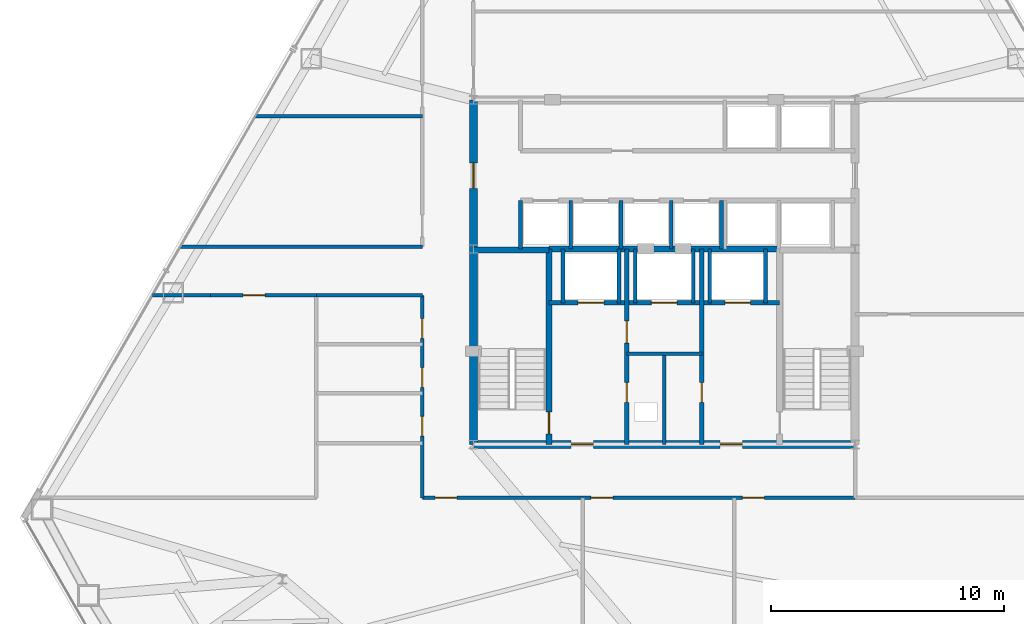
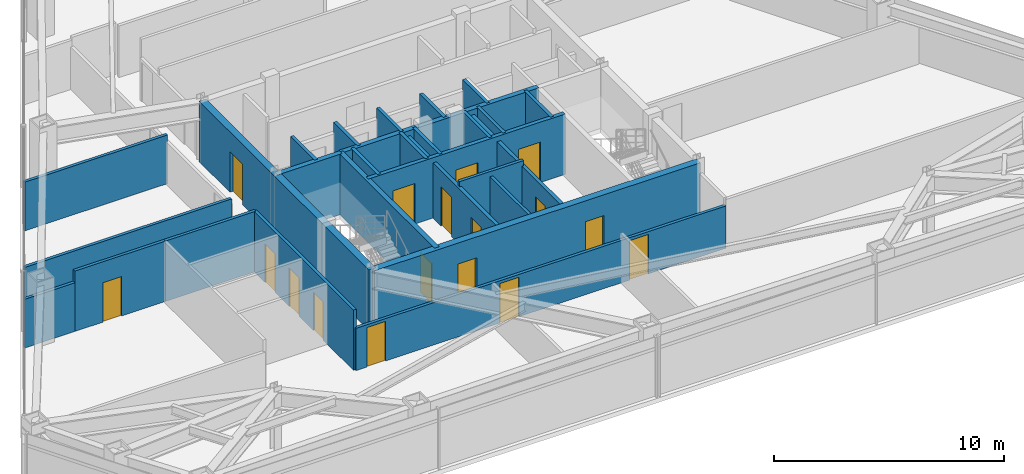
# One storey, part 10 of 13: 28 walls, 17 doors, 17 openings.
"""IFC4 building model written with IfcOpenShell, lengths in metres."""

from ifc_helpers import new_model, si_unit, direction, frame, frame_2d, origin, place, context, subcontext, project, spatial, rectangle, extrude, material, layer, layer_set, type_object, element, fill, save


model = new_model("IFC4")

# Units and contexts
model_context = context("Model", 3, precision=1e-05, world=origin(), true_north=direction((0.0, 1.0)))
body_context = subcontext(model_context, "Body", "Model", "MODEL_VIEW")
ifc_project = project(units=[si_unit("LENGTHUNIT", "METRE"), si_unit("AREAUNIT", "SQUARE_METRE"), si_unit("VOLUMEUNIT", "CUBIC_METRE"), si_unit("PLANEANGLEUNIT", "RADIAN"), si_unit("MASSUNIT", "GRAM", prefix="KILO")], contexts=[model_context])

# Site, building, storey
site_placement = place(None, origin())
site = spatial("IfcSite", under=ifc_project, at=site_placement, CompositionType="ELEMENT")
building_placement = place(site_placement, origin())
building = spatial("IfcBuilding", under=site, at=building_placement, Name="Varakhsha Concourse Tower", CompositionType="ELEMENT")
storey_placement = place(building_placement, frame((0.0, 0.0, 122.89990234375)))
storey = spatial("IfcBuildingStorey", under=building, at=storey_placement, Name="L35", CompositionType="ELEMENT", Elevation=122.89990234375)

# Wall, openings, doors
ifc_material_1 = material(Name="Concrete fc 65 MPa", Category="concrete")
ifc_layer_1 = layer(ifc_material_1, 0.35009765625, Name="WL-CORE-350")
ifc_layer_set_1 = layer_set([ifc_layer_1], Name="Concrete fc 65 MPa")
wall_type_1 = type_object("IfcWallType", Name="WL-CORE-350", PredefinedType="SHEAR", material=ifc_layer_set_1)
wall_1_placement = place(storey_placement, frame((31.800048828125, 16.39990234375, 0.0), z_axis=(0.0, 0.0, 1.0), x_axis=(1.0, 0.0, 0.0)))
wall_1 = element("IfcWall", 1, at=wall_1_placement, inside=storey, type_object=wall_type_1, Name="L35 Wall CWALL-S-L35", PredefinedType="SHEAR", context=body_context, shape_type="SweptSolid", body=[
    extrude(rectangle(XDim=16.39990234375, YDim=0.35009765625, at=frame_2d((8.199951171875, 0.0))), origin(), (0.0, 0.0, 1.0), 3.210205078125),
])
opening_1_placement = place(wall_1_placement, frame((4.199951171875, 0.0, 0.0)))
opening_1 = element("IfcOpeningElement", 2, at=opening_1_placement, cuts=wall_1, Name="Opening DF-05", PredefinedType="OPENING", context=body_context, shape_type="SweptSolid", body=[
    extrude(rectangle(XDim=0.949951171875, YDim=2.10009765625, at=frame_2d((0.47509765625, 1.050048828125))), frame((0.0, 0.18505859375, 0.0), z_axis=(0.0, -1.0, 0.0), x_axis=(1.0, 0.0, 0.0)), (0.0, 0.0, 1.0), 0.3701171875),
])
opening_2_placement = place(wall_1_placement, frame((10.60009765625, 0.0, 0.0)))
opening_2 = element("IfcOpeningElement", 3, at=opening_2_placement, cuts=wall_1, Name="Opening DF-05", PredefinedType="OPENING", context=body_context, shape_type="SweptSolid", body=[
    extrude(rectangle(XDim=0.949951171875, YDim=2.10009765625, at=frame_2d((0.47509765625, 1.050048828125))), frame((0.0, 0.18505859375, 0.0), z_axis=(0.0, -1.0, 0.0), x_axis=(1.0, 0.0, 0.0)), (0.0, 0.0, 1.0), 0.3701171875),
])
ifc_material_2 = material(Name="Hollow Galvanised Steel Fire Door Assembly", Category="steel")
door_type_1 = type_object("IfcDoorType", Name="DR-FD60-950", OperationType="NOTDEFINED", PredefinedType="DOOR", material=ifc_material_2)
door_1_placement = place(opening_1_placement, origin())
door_1 = element("IfcDoor", 4, at=door_1_placement, inside=storey, type_object=door_type_1, Name="L35 Firefighting Lobby West Door", OperationType="SINGLE_SWING_RIGHT", OverallHeight=2.10009765625, OverallWidth=0.949951171875, PredefinedType="DOOR", context=body_context, shape_type="SweptSolid", body=[
    extrude(rectangle(XDim=0.949951171875, YDim=2.10009765625, at=frame_2d((0.47509765625, 1.050048828125))), frame((0.0, 0.02490234375, 0.0), z_axis=(0.0, -1.0, 0.0), x_axis=(1.0, 0.0, 0.0)), (0.0, 0.0, 1.0), 0.050048828125),
])
fill(opening_1, door_1)
door_2_placement = place(opening_2_placement, origin())
door_2 = element("IfcDoor", 5, at=door_2_placement, inside=storey, type_object=door_type_1, Name="L35 Firefighting Lobby East Door", OperationType="SINGLE_SWING_LEFT", OverallHeight=2.10009765625, OverallWidth=0.949951171875, PredefinedType="DOOR", context=body_context, shape_type="SweptSolid", body=[
    extrude(rectangle(XDim=0.949951171875, YDim=2.10009765625, at=frame_2d((0.47509765625, 1.050048828125))), frame((0.0, 0.02490234375, 0.0), z_axis=(0.0, -1.0, 0.0), x_axis=(1.0, 0.0, 0.0)), (0.0, 0.0, 1.0), 0.050048828125),
])
fill(opening_2, door_2)

# Wall, opening, door
wall_2_placement = place(storey_placement, frame((31.800048828125, 16.39990234375, 0.0), z_axis=(0.0, 0.0, 1.0), x_axis=(0.0, 1.0, 0.0)))
wall_2 = element("IfcWall", 6, at=wall_2_placement, inside=storey, type_object=wall_type_1, Name="L35 Wall CWALL-W-L35", PredefinedType="SHEAR", context=body_context, shape_type="SweptSolid", body=[
    extrude(rectangle(XDim=14.800048828125, YDim=0.35009765625, at=frame_2d((7.39990234375, 0.0))), origin(), (0.0, 0.0, 1.0), 3.210205078125),
])
opening_3_placement = place(wall_2_placement, frame((11.0, 0.0, 0.0)))
opening_3 = element("IfcOpeningElement", 7, at=opening_3_placement, cuts=wall_2, Name="Opening DL-01", PredefinedType="OPENING", context=body_context, shape_type="SweptSolid", body=[
    extrude(rectangle(XDim=1.10009765625, YDim=2.14990234375, at=frame_2d((0.550048828125, 1.074951171875))), frame((0.0, 0.18505859375, 0.0), z_axis=(0.0, -1.0, 0.0), x_axis=(1.0, 0.0, 0.0)), (0.0, 0.0, 1.0), 0.3701171875),
])
ifc_material_3 = material(Name="Anodised Bronze Architectural Aluminium AA 6063-T6", Category="aluminium")
door_type_2 = type_object("IfcDoorType", Name="DR-LOB-1100", OperationType="NOTDEFINED", PredefinedType="DOOR", material=ifc_material_3)
door_3_placement = place(opening_3_placement, origin())
door_3 = element("IfcDoor", 8, at=door_3_placement, inside=storey, type_object=door_type_2, Name="L35 Lift Lobby West Concourse Door", OperationType="SINGLE_SWING_LEFT", OverallHeight=2.14990234375, OverallWidth=1.10009765625, PredefinedType="DOOR", context=body_context, shape_type="SweptSolid", body=[
    extrude(rectangle(XDim=1.10009765625, YDim=2.14990234375, at=frame_2d((0.550048828125, 1.074951171875))), frame((0.0, 0.02490234375, 0.0), z_axis=(0.0, -1.0, 0.0), x_axis=(1.0, 0.0, 0.0)), (0.0, 0.0, 1.0), 0.050048828125),
])
fill(opening_3, door_3)

# Wall, openings, doors
ifc_material_4 = material(Name="Fire-Rated Type X Gypsum Partition Assembly", Category="gypsum")
ifc_layer_2 = layer(ifc_material_4, 0.179931640625, Name="WL-FFLOB-180")
ifc_layer_set_2 = layer_set([ifc_layer_2], Name="Fire-Rated Type X Gypsum Partition Assembly")
wall_type_2 = type_object("IfcWallType", Name="WL-FFLOB-180", PredefinedType="PARTITIONING", material=ifc_layer_set_2)
wall_3_placement = place(storey_placement, frame((38.389892578125, 16.39990234375, 0.0), z_axis=(0.0, 0.0, 1.0), x_axis=(0.0, 1.0, 0.0)))
wall_3 = element("IfcWall", 9, at=wall_3_placement, inside=storey, type_object=wall_type_2, Name="L35 Wall FFW-1E-L35", PredefinedType="PARTITIONING", context=body_context, shape_type="SweptSolid", body=[
    extrude(rectangle(XDim=8.400146484375, YDim=0.179931640625, at=frame_2d((4.2001953125, 0.0))), origin(), (0.0, 0.0, 1.0), 2.93798828125),
])
opening_4_placement = place(wall_3_placement, frame((1.800048828125, 0.0, 0.0)))
opening_4 = element("IfcOpeningElement", 10, at=opening_4_placement, cuts=wall_3, Name="Opening DF-07", PredefinedType="OPENING", context=body_context, shape_type="SweptSolid", body=[
    extrude(rectangle(XDim=0.85009765625, YDim=2.050048828125, at=frame_2d((0.425048828125, 1.02490234375))), frame((0.0, 0.099853515625, 0.0), z_axis=(0.0, -1.0, 0.0), x_axis=(1.0, 0.0, 0.0)), (0.0, 0.0, 1.0), 0.199951171875),
])
opening_5_placement = place(wall_3_placement, frame((4.35009765625, 0.0, 0.0)))
opening_5 = element("IfcOpeningElement", 11, at=opening_5_placement, cuts=wall_3, Name="Opening DF-05", PredefinedType="OPENING", context=body_context, shape_type="SweptSolid", body=[
    extrude(rectangle(XDim=0.949951171875, YDim=2.10009765625, at=frame_2d((0.47509765625, 1.050048828125))), frame((0.0, 0.099853515625, 0.0), z_axis=(0.0, -1.0, 0.0), x_axis=(1.0, 0.0, 0.0)), (0.0, 0.0, 1.0), 0.199951171875),
])
door_type_3 = type_object("IfcDoorType", Name="DR-FD60-850", OperationType="NOTDEFINED", PredefinedType="DOOR", material=ifc_material_2)
door_4_placement = place(opening_4_placement, origin())
door_4 = element("IfcDoor", 12, at=door_4_placement, inside=storey, type_object=door_type_3, Name="L35 Power Metering Closet Door", OperationType="SINGLE_SWING_LEFT", OverallHeight=2.050048828125, OverallWidth=0.85009765625, PredefinedType="DOOR", context=body_context, shape_type="SweptSolid", body=[
    extrude(rectangle(XDim=0.85009765625, YDim=2.050048828125, at=frame_2d((0.425048828125, 1.02490234375))), frame((0.0, 0.02490234375, 0.0), z_axis=(0.0, -1.0, 0.0), x_axis=(1.0, 0.0, 0.0)), (0.0, 0.0, 1.0), 0.050048828125),
])
fill(opening_4, door_4)
door_5_placement = place(opening_5_placement, origin())
door_5 = element("IfcDoor", 13, at=door_5_placement, inside=storey, type_object=door_type_1, Name="L35 Service Vestibule Door", OperationType="SINGLE_SWING_RIGHT", OverallHeight=2.10009765625, OverallWidth=0.949951171875, PredefinedType="DOOR", context=body_context, shape_type="SweptSolid", body=[
    extrude(rectangle(XDim=0.949951171875, YDim=2.10009765625, at=frame_2d((0.47509765625, 1.050048828125))), frame((0.0, 0.02490234375, 0.0), z_axis=(0.0, -1.0, 0.0), x_axis=(1.0, 0.0, 0.0)), (0.0, 0.0, 1.0), 0.050048828125),
])
fill(opening_5, door_5)

# Wall, opening, door
wall_4_placement = place(storey_placement, frame((41.610107421875, 16.39990234375, 0.0), z_axis=(0.0, 0.0, 1.0), x_axis=(0.0, 1.0, 0.0)))
wall_4 = element("IfcWall", 14, at=wall_4_placement, inside=storey, type_object=wall_type_2, Name="L35 Wall FFW-2W-L35", PredefinedType="PARTITIONING", context=body_context, shape_type="SweptSolid", body=[
    extrude(rectangle(XDim=8.400146484375, YDim=0.179931640625, at=frame_2d((4.2001953125, 0.0))), origin(), (0.0, 0.0, 1.0), 2.93798828125),
])
opening_6_placement = place(wall_4_placement, frame((1.800048828125, 0.0, 0.0)))
opening_6 = element("IfcOpeningElement", 15, at=opening_6_placement, cuts=wall_4, Name="Opening DF-07", PredefinedType="OPENING", context=body_context, shape_type="SweptSolid", body=[
    extrude(rectangle(XDim=0.85009765625, YDim=2.050048828125, at=frame_2d((0.425048828125, 1.02490234375))), frame((0.0, 0.099853515625, 0.0), z_axis=(0.0, -1.0, 0.0), x_axis=(1.0, 0.0, 0.0)), (0.0, 0.0, 1.0), 0.199951171875),
])
door_6_placement = place(opening_6_placement, origin())
door_6 = element("IfcDoor", 16, at=door_6_placement, inside=storey, type_object=door_type_3, Name="L35 BMS Control Closet Door", OperationType="SINGLE_SWING_RIGHT", OverallHeight=2.050048828125, OverallWidth=0.85009765625, PredefinedType="DOOR", context=body_context, shape_type="SweptSolid", body=[
    extrude(rectangle(XDim=0.85009765625, YDim=2.050048828125, at=frame_2d((0.425048828125, 1.02490234375))), frame((0.0, 0.02490234375, 0.0), z_axis=(0.0, -1.0, 0.0), x_axis=(1.0, 0.0, 0.0)), (0.0, 0.0, 1.0), 0.050048828125),
])
fill(opening_6, door_6)

# Walls
ifc_layer_3 = layer(ifc_material_4, 0.14990234375, Name="WL-PART-150")
ifc_layer_set_3 = layer_set([ifc_layer_3], Name="Fire-Rated Type X Gypsum Partition Assembly")
wall_type_3 = type_object("IfcWallType", Name="WL-PART-150", PredefinedType="PARTITIONING", material=ifc_layer_set_3)
wall_5_placement = place(storey_placement, frame((38.389892578125, 20.300048828125, 0.0), z_axis=(0.0, 0.0, 1.0), x_axis=(1.0, 0.0, 0.0)))
element("IfcWall", 17, at=wall_5_placement, inside=storey, type_object=wall_type_3, Name="L35 Wall RSW-TH-L35", PredefinedType="PARTITIONING", context=body_context, shape_type="SweptSolid", body=[
    extrude(rectangle(XDim=3.22021484375, YDim=0.14990234375, at=frame_2d((1.610107421875, 0.0))), origin(), (0.0, 0.0, 1.0), 3.210205078125),
])
wall_6_placement = place(storey_placement, frame((40.0, 16.39990234375, 0.0), z_axis=(0.0, 0.0, 1.0), x_axis=(0.0, 1.0, 0.0)))
element("IfcWall", 18, at=wall_6_placement, inside=storey, type_object=wall_type_3, Name="L35 Wall RSW-TV-L35", PredefinedType="PARTITIONING", context=body_context, shape_type="SweptSolid", body=[
    extrude(rectangle(XDim=3.900146484375, YDim=0.14990234375, at=frame_2d((1.9501953125, 0.0))), origin(), (0.0, 0.0, 1.0), 2.93798828125),
])

# Wall, openings, doors
wall_7_placement = place(storey_placement, frame((29.60009765625, 14.10009765625, 0.0), z_axis=(0.0, 0.0, 1.0), x_axis=(1.0, 0.0, 0.0)))
wall_7 = element("IfcWall", 19, at=wall_7_placement, inside=storey, type_object=wall_type_3, Name="L35 Wall CRW-S-L35", PredefinedType="PARTITIONING", context=body_context, shape_type="SweptSolid", body=[
    extrude(rectangle(XDim=18.599853515625, YDim=0.14990234375, at=frame_2d((9.2998046875, 0.0))), origin(), (0.0, 0.0, 1.0), 2.252197265625),
])
opening_7_placement = place(wall_7_placement, frame((0.550048828125, 0.0, 0.0)))
opening_7 = element("IfcOpeningElement", 20, at=opening_7_placement, cuts=wall_7, Name="Opening DF-05", PredefinedType="OPENING", context=body_context, shape_type="SweptSolid", body=[
    extrude(rectangle(XDim=0.949951171875, YDim=2.10009765625, at=frame_2d((0.47509765625, 1.050048828125))), frame((0.0, 0.0849609375, 0.0), z_axis=(0.0, -1.0, 0.0), x_axis=(1.0, 0.0, 0.0)), (0.0, 0.0, 1.0), 0.169921875),
])
opening_8_placement = place(wall_7_placement, frame((7.25, 0.0, 0.0)))
opening_8 = element("IfcOpeningElement", 21, at=opening_8_placement, cuts=wall_7, Name="Opening DF-05", PredefinedType="OPENING", context=body_context, shape_type="SweptSolid", body=[
    extrude(rectangle(XDim=0.949951171875, YDim=2.10009765625, at=frame_2d((0.47509765625, 1.050048828125))), frame((0.0, 0.0849609375, 0.0), z_axis=(0.0, -1.0, 0.0), x_axis=(1.0, 0.0, 0.0)), (0.0, 0.0, 1.0), 0.169921875),
])
opening_9_placement = place(wall_7_placement, frame((13.75, 0.0, 0.0)))
opening_9 = element("IfcOpeningElement", 22, at=opening_9_placement, cuts=wall_7, Name="Opening DF-05", PredefinedType="OPENING", context=body_context, shape_type="SweptSolid", body=[
    extrude(rectangle(XDim=0.949951171875, YDim=2.10009765625, at=frame_2d((0.47509765625, 1.050048828125))), frame((0.0, 0.0849609375, 0.0), z_axis=(0.0, -1.0, 0.0), x_axis=(1.0, 0.0, 0.0)), (0.0, 0.0, 1.0), 0.169921875),
])
door_7_placement = place(opening_7_placement, origin())
door_7 = element("IfcDoor", 23, at=door_7_placement, inside=storey, type_object=door_type_1, Name="L35 Project Controls Workroom L35-S1 Door", OperationType="SINGLE_SWING_LEFT", OverallHeight=2.10009765625, OverallWidth=0.949951171875, PredefinedType="DOOR", context=body_context, shape_type="SweptSolid", body=[
    extrude(rectangle(XDim=0.949951171875, YDim=2.10009765625, at=frame_2d((0.47509765625, 1.050048828125))), frame((0.0, 0.02490234375, 0.0), z_axis=(0.0, -1.0, 0.0), x_axis=(1.0, 0.0, 0.0)), (0.0, 0.0, 1.0), 0.050048828125),
])
fill(opening_7, door_7)
door_8_placement = place(opening_8_placement, origin())
door_8 = element("IfcDoor", 24, at=door_8_placement, inside=storey, type_object=door_type_1, Name="L35 Strategic Advisory Office Suite L35-S2 Door", OperationType="SINGLE_SWING_RIGHT", OverallHeight=2.10009765625, OverallWidth=0.949951171875, PredefinedType="DOOR", context=body_context, shape_type="SweptSolid", body=[
    extrude(rectangle(XDim=0.949951171875, YDim=2.10009765625, at=frame_2d((0.47509765625, 1.050048828125))), frame((0.0, 0.02490234375, 0.0), z_axis=(0.0, -1.0, 0.0), x_axis=(1.0, 0.0, 0.0)), (0.0, 0.0, 1.0), 0.050048828125),
])
fill(opening_8, door_8)
door_9_placement = place(opening_9_placement, origin())
door_9 = element("IfcDoor", 25, at=door_9_placement, inside=storey, type_object=door_type_1, Name="L35 Strategic Advisory Office Suite L35-S3 Door", OperationType="SINGLE_SWING_LEFT", OverallHeight=2.10009765625, OverallWidth=0.949951171875, PredefinedType="DOOR", context=body_context, shape_type="SweptSolid", body=[
    extrude(rectangle(XDim=0.949951171875, YDim=2.10009765625, at=frame_2d((0.47509765625, 1.050048828125))), frame((0.0, 0.02490234375, 0.0), z_axis=(0.0, -1.0, 0.0), x_axis=(1.0, 0.0, 0.0)), (0.0, 0.0, 1.0), 0.050048828125),
])
fill(opening_9, door_9)

wall_8_placement = place(storey_placement, frame((29.60009765625, 14.10009765625, 0.0), z_axis=(0.0, 0.0, 1.0), x_axis=(0.0, 1.0, 0.0)))
wall_8 = element("IfcWall", 26, at=wall_8_placement, inside=storey, type_object=wall_type_3, Name="L35 Wall CRW-WS-L35", PredefinedType="PARTITIONING", context=body_context, shape_type="SweptSolid", body=[
    extrude(rectangle(XDim=8.699951171875, YDim=0.14990234375, at=frame_2d((4.35009765625, 0.0))), origin(), (0.0, 0.0, 1.0), 3.210205078125),
])
opening_10_placement = place(wall_8_placement, frame((2.64990234375, 0.0, 0.0)))
opening_10 = element("IfcOpeningElement", 27, at=opening_10_placement, cuts=wall_8, Name="Opening DF-07", PredefinedType="OPENING", context=body_context, shape_type="SweptSolid", body=[
    extrude(rectangle(XDim=0.85009765625, YDim=2.050048828125, at=frame_2d((0.425048828125, 1.02490234375))), frame((0.0, 0.0849609375, 0.0), z_axis=(0.0, -1.0, 0.0), x_axis=(1.0, 0.0, 0.0)), (0.0, 0.0, 1.0), 0.169921875),
])
opening_11_placement = place(wall_8_placement, frame((4.75, 0.0, 0.0)))
opening_11 = element("IfcOpeningElement", 28, at=opening_11_placement, cuts=wall_8, Name="Opening DF-07", PredefinedType="OPENING", context=body_context, shape_type="SweptSolid", body=[
    extrude(rectangle(XDim=0.85009765625, YDim=2.050048828125, at=frame_2d((0.425048828125, 1.02490234375))), frame((0.0, 0.0849609375, 0.0), z_axis=(0.0, -1.0, 0.0), x_axis=(1.0, 0.0, 0.0)), (0.0, 0.0, 1.0), 0.169921875),
])
opening_12_placement = place(wall_8_placement, frame((6.85009765625, 0.0, 0.0)))
opening_12 = element("IfcOpeningElement", 29, at=opening_12_placement, cuts=wall_8, Name="Opening DF-07", PredefinedType="OPENING", context=body_context, shape_type="SweptSolid", body=[
    extrude(rectangle(XDim=0.85009765625, YDim=2.050048828125, at=frame_2d((0.425048828125, 1.02490234375))), frame((0.0, 0.0849609375, 0.0), z_axis=(0.0, -1.0, 0.0), x_axis=(1.0, 0.0, 0.0)), (0.0, 0.0, 1.0), 0.169921875),
])
door_10_placement = place(opening_10_placement, origin())
door_10 = element("IfcDoor", 30, at=door_10_placement, inside=storey, type_object=door_type_3, Name="L35 Men Restroom WC Door", OperationType="SINGLE_SWING_LEFT", OverallHeight=2.050048828125, OverallWidth=0.85009765625, PredefinedType="DOOR", context=body_context, shape_type="SweptSolid", body=[
    extrude(rectangle(XDim=0.85009765625, YDim=2.050048828125, at=frame_2d((0.425048828125, 1.02490234375))), frame((0.0, 0.02490234375, 0.0), z_axis=(0.0, -1.0, 0.0), x_axis=(1.0, 0.0, 0.0)), (0.0, 0.0, 1.0), 0.050048828125),
])
fill(opening_10, door_10)
door_11_placement = place(opening_11_placement, origin())
door_11 = element("IfcDoor", 31, at=door_11_placement, inside=storey, type_object=door_type_3, Name="L35 Women Restroom WC Door", OperationType="SINGLE_SWING_LEFT", OverallHeight=2.050048828125, OverallWidth=0.85009765625, PredefinedType="DOOR", context=body_context, shape_type="SweptSolid", body=[
    extrude(rectangle(XDim=0.85009765625, YDim=2.050048828125, at=frame_2d((0.425048828125, 1.02490234375))), frame((0.0, 0.02490234375, 0.0), z_axis=(0.0, -1.0, 0.0), x_axis=(1.0, 0.0, 0.0)), (0.0, 0.0, 1.0), 0.050048828125),
])
fill(opening_11, door_11)
door_12_placement = place(opening_12_placement, origin())
door_12 = element("IfcDoor", 32, at=door_12_placement, inside=storey, type_object=door_type_3, Name="L35 Accessible WC Door", OperationType="SINGLE_SWING_LEFT", OverallHeight=2.050048828125, OverallWidth=0.85009765625, PredefinedType="DOOR", context=body_context, shape_type="SweptSolid", body=[
    extrude(rectangle(XDim=0.85009765625, YDim=2.050048828125, at=frame_2d((0.425048828125, 1.02490234375))), frame((0.0, 0.02490234375, 0.0), z_axis=(0.0, -1.0, 0.0), x_axis=(1.0, 0.0, 0.0)), (0.0, 0.0, 1.0), 0.050048828125),
])
fill(opening_12, door_12)

# Walls
wall_9_placement = place(storey_placement, frame((17.997802734375, 22.800048828125, 0.0), z_axis=(0.0, 0.0, 1.0), x_axis=(1.0, 0.0, 0.0)))
element("IfcWall", 33, at=wall_9_placement, inside=storey, type_object=wall_type_3, Name="L35 Wall CRW-WWS-W-L35", PredefinedType="PARTITIONING", context=body_context, shape_type="SweptSolid", body=[
    extrude(rectangle(XDim=2.502197265625, YDim=0.14990234375, at=frame_2d((1.2509765625, 0.0))), origin(), (0.0, 0.0, 1.0), 2.589111328125),
])
wall_10_placement = place(storey_placement, frame((25.050048828125, 22.800048828125, 0.0), z_axis=(0.0, 0.0, 1.0), x_axis=(1.0, 0.0, 0.0)))
element("IfcWall", 34, at=wall_10_placement, inside=storey, type_object=wall_type_3, Name="L35 Wall CRW-WWS-E-L35", PredefinedType="PARTITIONING", context=body_context, shape_type="SweptSolid", body=[
    extrude(rectangle(XDim=4.550048828125, YDim=0.14990234375, at=frame_2d((2.27490234375, 0.0))), origin(), (0.0, 0.0, 1.0), 3.210205078125),
])
wall_11_placement = place(storey_placement, frame((19.20556640625, 24.89990234375, 0.0), z_axis=(0.0, 0.0, 1.0), x_axis=(1.0, 0.0, 0.0)))
element("IfcWall", 35, at=wall_11_placement, inside=storey, type_object=wall_type_3, Name="L35 Wall CRW-WWN-L35", PredefinedType="PARTITIONING", context=body_context, shape_type="SweptSolid", body=[
    extrude(rectangle(XDim=10.39453125, YDim=0.14990234375, at=frame_2d((5.197265625, 0.0))), origin(), (0.0, 0.0, 1.0), 2.589111328125),
])

# Wall, opening, door
wall_12_placement = place(storey_placement, frame((20.5, 22.800048828125, 0.0), z_axis=(0.0, 0.0, 1.0), x_axis=(1.0, 0.0, 0.0)))
wall_12 = element("IfcWall", 36, at=wall_12_placement, inside=storey, type_object=wall_type_3, Name="L35 Wall CRW-WWS-DOOR-L35", PredefinedType="PARTITIONING", context=body_context, shape_type="SweptSolid", body=[
    extrude(rectangle(XDim=4.550048828125, YDim=0.14990234375, at=frame_2d((2.27490234375, 0.0))), origin(), (0.0, 0.0, 1.0), 3.210205078125),
])
opening_13_placement = place(wall_12_placement, frame((1.39990234375, 0.0, 0.0)))
opening_13 = element("IfcOpeningElement", 37, at=opening_13_placement, cuts=wall_12, Name="Opening DF-05", PredefinedType="OPENING", context=body_context, shape_type="SweptSolid", body=[
    extrude(rectangle(XDim=0.949951171875, YDim=2.10009765625, at=frame_2d((0.47509765625, 1.050048828125))), frame((0.0, 0.0849609375, 0.0), z_axis=(0.0, -1.0, 0.0), x_axis=(1.0, 0.0, 0.0)), (0.0, 0.0, 1.0), 0.169921875),
])
door_13_placement = place(opening_13_placement, origin())
door_13 = element("IfcDoor", 38, at=door_13_placement, inside=storey, type_object=door_type_1, Name="L35 Client Briefing Studio L35-SW Door", OperationType="SINGLE_SWING_LEFT", OverallHeight=2.10009765625, OverallWidth=0.949951171875, PredefinedType="DOOR", context=body_context, shape_type="SweptSolid", body=[
    extrude(rectangle(XDim=0.949951171875, YDim=2.10009765625, at=frame_2d((0.47509765625, 1.050048828125))), frame((0.0, 0.02490234375, 0.0), z_axis=(0.0, -1.0, 0.0), x_axis=(1.0, 0.0, 0.0)), (0.0, 0.0, 1.0), 0.050048828125),
])
fill(opening_13, door_13)

# Wall
wall_13_placement = place(storey_placement, frame((22.425537109375, 30.5, 0.0), z_axis=(0.0, 0.0, 1.0), x_axis=(1.0, 0.0, 0.0)))
element("IfcWall", 39, at=wall_13_placement, inside=storey, type_object=wall_type_3, Name="L35 Wall ODIV-W1-L35", PredefinedType="PARTITIONING", context=body_context, shape_type="SweptSolid", body=[
    extrude(rectangle(XDim=7.174560546875, YDim=0.14990234375, at=frame_2d((3.58740234375, 0.0))), origin(), (0.0, 0.0, 1.0), 2.589111328125),
])

# Wall, openings, doors
ifc_layer_4 = layer(ifc_material_4, 0.199951171875, Name="WL-SHAFT-220")
ifc_layer_set_4 = layer_set([ifc_layer_4], Name="Fire-Rated Type X Gypsum Partition Assembly")
wall_type_4 = type_object("IfcWallType", Name="WL-SHAFT-220", PredefinedType="SOLIDWALL", material=ifc_layer_set_4)
wall_14_placement = place(storey_placement, frame((35.044921875, 22.47998046875, 0.0), z_axis=(0.0, 0.0, 1.0), x_axis=(1.0, 0.0, 0.0)))
wall_14 = element("IfcWall", 40, at=wall_14_placement, inside=storey, type_object=wall_type_4, Name="L35 Wall FFW-NH-L35", PredefinedType="SOLIDWALL", context=body_context, shape_type="SweptSolid", body=[
    extrude(rectangle(XDim=9.91015625, YDim=0.199951171875, at=frame_2d((4.955078125, 0.0))), origin(), (0.0, 0.0, 1.0), 3.210205078125),
])
opening_14_placement = place(wall_14_placement, frame((1.2548828125, 0.0, 0.0)))
opening_14 = element("IfcOpeningElement", 41, at=opening_14_placement, cuts=wall_14, Name="Opening LD-FFL-1", PredefinedType="OPENING", context=body_context, shape_type="SweptSolid", body=[
    extrude(rectangle(XDim=1.10009765625, YDim=2.14990234375, at=frame_2d((0.550048828125, 1.074951171875))), frame((0.0, 0.10986328125, 0.0), z_axis=(0.0, -1.0, 0.0), x_axis=(1.0, 0.0, 0.0)), (0.0, 0.0, 1.0), 0.219970703125),
])
opening_15_placement = place(wall_14_placement, frame((7.554931640625, 0.0, 0.0)))
opening_15 = element("IfcOpeningElement", 42, at=opening_15_placement, cuts=wall_14, Name="Opening LD-FFL-2", PredefinedType="OPENING", context=body_context, shape_type="SweptSolid", body=[
    extrude(rectangle(XDim=1.10009765625, YDim=2.14990234375, at=frame_2d((0.550048828125, 1.074951171875))), frame((0.0, 0.10986328125, 0.0), z_axis=(0.0, -1.0, 0.0), x_axis=(1.0, 0.0, 0.0)), (0.0, 0.0, 1.0), 0.219970703125),
])
opening_16_placement = place(wall_14_placement, frame((4.405029296875, 0.0, 0.0)))
opening_16 = element("IfcOpeningElement", 43, at=opening_16_placement, cuts=wall_14, Name="Opening LD-SVL-1", PredefinedType="OPENING", context=body_context, shape_type="SweptSolid", body=[
    extrude(rectangle(XDim=1.10009765625, YDim=2.14990234375, at=frame_2d((0.550048828125, 1.074951171875))), frame((0.0, 0.10986328125, 0.0), z_axis=(0.0, -1.0, 0.0), x_axis=(1.0, 0.0, 0.0)), (0.0, 0.0, 1.0), 0.219970703125),
])
ifc_material_5 = material(Name="Brushed Austenitic Stainless Steel AISI 316", Category="steel")
door_type_4 = type_object("IfcDoorType", Name="DR-LD-1100", OperationType="DOUBLE_DOOR_SLIDING", PredefinedType="DOOR", material=ifc_material_5)
door_14_placement = place(opening_14_placement, origin())
door_14 = element("IfcDoor", 44, at=door_14_placement, inside=storey, type_object=door_type_4, Name="Lift Landing Door FFL-1 L35", OperationType="DOUBLE_DOOR_SLIDING", OverallHeight=2.14990234375, OverallWidth=1.10009765625, PredefinedType="DOOR", context=body_context, shape_type="SweptSolid", body=[
    extrude(rectangle(XDim=1.10009765625, YDim=2.14990234375, at=frame_2d((0.550048828125, 1.074951171875))), frame((0.0, 0.02490234375, 0.0), z_axis=(0.0, -1.0, 0.0), x_axis=(1.0, 0.0, 0.0)), (0.0, 0.0, 1.0), 0.050048828125),
])
fill(opening_14, door_14)
door_15_placement = place(opening_15_placement, origin())
door_15 = element("IfcDoor", 45, at=door_15_placement, inside=storey, type_object=door_type_4, Name="Lift Landing Door FFL-2 L35", OperationType="DOUBLE_DOOR_SLIDING", OverallHeight=2.14990234375, OverallWidth=1.10009765625, PredefinedType="DOOR", context=body_context, shape_type="SweptSolid", body=[
    extrude(rectangle(XDim=1.10009765625, YDim=2.14990234375, at=frame_2d((0.550048828125, 1.074951171875))), frame((0.0, 0.02490234375, 0.0), z_axis=(0.0, -1.0, 0.0), x_axis=(1.0, 0.0, 0.0)), (0.0, 0.0, 1.0), 0.050048828125),
])
fill(opening_15, door_15)
door_16_placement = place(opening_16_placement, origin())
door_16 = element("IfcDoor", 46, at=door_16_placement, inside=storey, type_object=door_type_4, Name="Lift Landing Door SVL-1 L35", OperationType="DOUBLE_DOOR_SLIDING", OverallHeight=2.14990234375, OverallWidth=1.10009765625, PredefinedType="DOOR", context=body_context, shape_type="SweptSolid", body=[
    extrude(rectangle(XDim=1.10009765625, YDim=2.14990234375, at=frame_2d((0.550048828125, 1.074951171875))), frame((0.0, 0.02490234375, 0.0), z_axis=(0.0, -1.0, 0.0), x_axis=(1.0, 0.0, 0.0)), (0.0, 0.0, 1.0), 0.050048828125),
])
fill(opening_16, door_16)

# Walls
for number, where, z_axis, x_axis, name in (
    (47, (35.64990234375, 22.47998046875, 0.0), (0.0, 0.0, 1.0), (0.0, 1.0, 0.0), "L35 Wall SHW-FFL-1-W-L35"),
    (48, (38.050048828125, 22.47998046875, 0.0), (0.0, 0.0, 1.0), (0.0, 1.0, 0.0), "L35 Wall SHW-FFL-1-E-L35"),
    (49, (41.949951171875, 22.47998046875, 0.0), (0.0, 0.0, 1.0), (0.0, 1.0, 0.0), "L35 Wall SHW-FFL-2-W-L35"),
    (50, (44.35009765625, 22.47998046875, 0.0), (0.0, 0.0, 1.0), (0.0, 1.0, 0.0), "L35 Wall SHW-FFL-2-E-L35"),
    (51, (38.75, 22.47998046875, 0.0), (0.0, 0.0, 1.0), (0.0, 1.0, 0.0), "L35 Wall SHW-SVL-1-W-L35"),
    (52, (41.25, 22.47998046875, 0.0), (0.0, 0.0, 1.0), (0.0, 1.0, 0.0), "L35 Wall SHW-SVL-1-E-L35"),
):
    element("IfcWall", number, at=place(storey_placement, frame(where, z_axis=z_axis, x_axis=x_axis)), inside=storey, type_object=wall_type_4, Name=name, PredefinedType="SOLIDWALL", context=body_context, shape_type="SweptSolid", body=[
        extrude(rectangle(XDim=2.320068359375, YDim=0.159912109375, at=frame_2d((1.16015625, 0.0))), origin(), (0.0, 0.0, 1.0), 3.210205078125),
    ])
for number, where, z_axis, x_axis, name in (
    (53, (33.820068359375, 24.800048828125, 0.0), (0.0, 0.0, 1.0), (0.0, 1.0, 0.0), "L35 Wall WBOH-E2-L35"),
    (54, (35.97998046875, 24.800048828125, 0.0), (0.0, 0.0, 1.0), (0.0, 1.0, 0.0), "L35 Wall SHW-LF-P05-E-L35"),
    (55, (38.139892578125, 24.800048828125, 0.0), (0.0, 0.0, 1.0), (0.0, 1.0, 0.0), "L35 Wall SHW-LF-P06-E-L35"),
    (56, (40.300048828125, 24.800048828125, 0.0), (0.0, 0.0, 1.0), (0.0, 1.0, 0.0), "L35 Wall SHW-LF-P07-E-L35"),
    (57, (42.4599609375, 24.800048828125, 0.0), (0.0, 0.0, 1.0), (0.0, 1.0, 0.0), "L35 Wall SHW-LF-P08-E-L35"),
):
    element("IfcWall", number, at=place(storey_placement, frame(where, z_axis=z_axis, x_axis=x_axis)), inside=storey, type_object=wall_type_4, Name=name, PredefinedType="SOLIDWALL", context=body_context, shape_type="SweptSolid", body=[
        extrude(rectangle(XDim=2.079833984375, YDim=0.159912109375, at=frame_2d((1.0400390625, 0.0))), origin(), (0.0, 0.0, 1.0), 3.210205078125),
    ])

# Wall, opening, door
ifc_material_6 = material(Name="Concrete fc 45 MPa", Category="concrete")
ifc_layer_5 = layer(ifc_material_6, 0.25, Name="WL-STAIR-250")
ifc_layer_set_5 = layer_set([ifc_layer_5], Name="Concrete fc 45 MPa")
wall_type_5 = type_object("IfcWallType", Name="WL-STAIR-250", PredefinedType="SHEAR", material=ifc_layer_set_5)
wall_15_placement = place(storey_placement, frame((35.044921875, 16.39990234375, 0.0), z_axis=(0.0, 0.0, 1.0), x_axis=(0.0, 1.0, 0.0)))
wall_15 = element("IfcWall", 58, at=wall_15_placement, inside=storey, type_object=wall_type_5, Name="L35 Wall SWALL-ST1-E-L35", PredefinedType="SHEAR", context=body_context, shape_type="SweptSolid", body=[
    extrude(rectangle(XDim=8.400146484375, YDim=0.25, at=frame_2d((4.2001953125, 0.0))), origin(), (0.0, 0.0, 1.0), 3.210205078125),
])
opening_17_placement = place(wall_15_placement, frame((0.449951171875, 0.0, 0.0)))
opening_17 = element("IfcOpeningElement", 59, at=opening_17_placement, cuts=wall_15, Name="Opening DF-03", PredefinedType="OPENING", context=body_context, shape_type="SweptSolid", body=[
    extrude(rectangle(XDim=0.949951171875, YDim=2.10009765625, at=frame_2d((0.47509765625, 1.050048828125))), frame((0.0, 0.135009765625, 0.0), z_axis=(0.0, -1.0, 0.0), x_axis=(1.0, 0.0, 0.0)), (0.0, 0.0, 1.0), 0.27001953125),
])
door_type_5 = type_object("IfcDoorType", Name="DR-FD90-950", OperationType="NOTDEFINED", PredefinedType="DOOR", material=ifc_material_2)
door_17_placement = place(opening_17_placement, origin())
door_17 = element("IfcDoor", 60, at=door_17_placement, inside=storey, type_object=door_type_5, Name="L35 Stair ST1 Fire Door", OperationType="SINGLE_SWING_LEFT", OverallHeight=2.10009765625, OverallWidth=0.949951171875, PredefinedType="DOOR", context=body_context, shape_type="SweptSolid", body=[
    extrude(rectangle(XDim=0.949951171875, YDim=2.10009765625, at=frame_2d((0.47509765625, 1.050048828125))), frame((0.0, 0.02490234375, 0.0), z_axis=(0.0, -1.0, 0.0), x_axis=(1.0, 0.0, 0.0)), (0.0, 0.0, 1.0), 0.050048828125),
])
fill(opening_17, door_17)

# Walls
wall_16_placement = place(storey_placement, frame((31.800048828125, 24.7548828125, 0.0), z_axis=(0.0, 0.0, 1.0), x_axis=(1.0, 0.0, 0.0)))
element("IfcWall", 61, at=wall_16_placement, inside=storey, type_object=wall_type_5, Name="L35 Wall SWALL-ST1-N-L35", PredefinedType="SHEAR", context=body_context, shape_type="SweptSolid", body=[
    extrude(rectangle(XDim=3.244873046875, YDim=0.25, at=frame_2d((1.62255859375, 0.0))), origin(), (0.0, 0.0, 1.0), 3.210205078125),
])
wall_17_placement = place(storey_placement, frame((35.044921875, 24.800048828125, 0.0), z_axis=(0.0, 0.0, 1.0), x_axis=(1.0, 0.0, 0.0)))
element("IfcWall", 62, at=wall_17_placement, inside=storey, type_object=wall_type_5, Name="L35 Wall SWALL-MID-H-L35", PredefinedType="SHEAR", context=body_context, shape_type="SweptSolid", body=[
    extrude(rectangle(XDim=9.91015625, YDim=0.25, at=frame_2d((4.955078125, 0.0))), origin(), (0.0, 0.0, 1.0), 3.210205078125),
])

save(model, "model.ifc")
